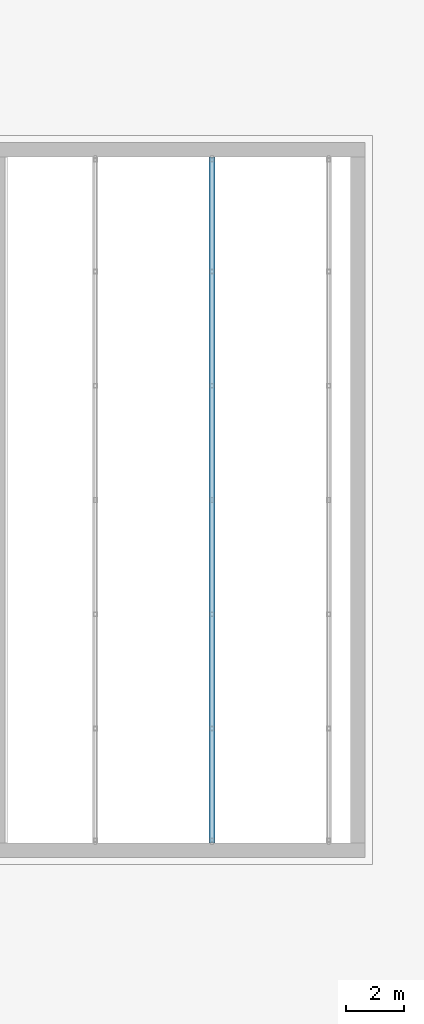
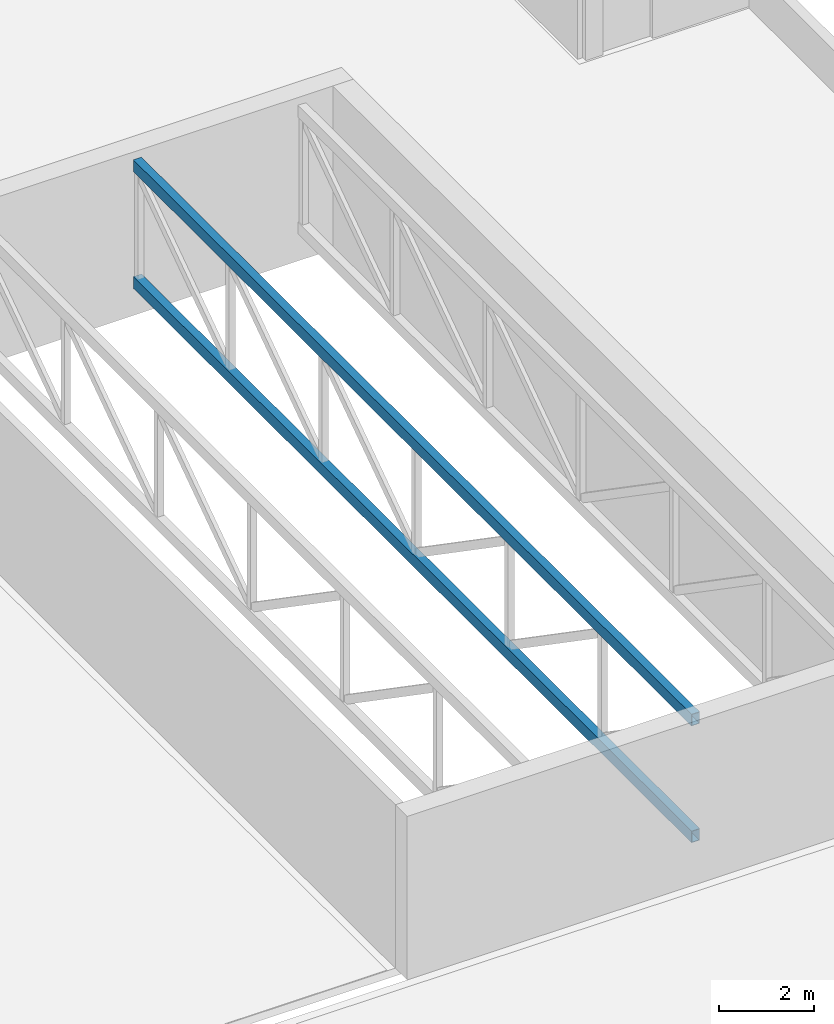
# One storey, part 10 of 33: 2 members.
"""IFC4 building model written with IfcOpenShell, lengths in metres."""

from ifc_helpers import new_model, si_unit, direction, frame, origin, origin_2d, place, context, subcontext, project, spatial, hollow_rectangle, extrude, material, material_profile, profile_set, type_object, element, save


model = new_model("IFC4")

# Units and contexts
model_context = context("Model", 3, precision=1e-05, world=origin(), true_north=direction((0.0, 1.0)))
body_context = subcontext(model_context, "Body", "Model", "MODEL_VIEW")
ifc_project = project(units=[si_unit("LENGTHUNIT", "METRE"), si_unit("AREAUNIT", "SQUARE_METRE"), si_unit("VOLUMEUNIT", "CUBIC_METRE"), si_unit("PLANEANGLEUNIT", "RADIAN"), si_unit("MASSUNIT", "GRAM", prefix="KILO")], contexts=[model_context])

# Site, building, storey
site_placement = place(None, origin())
site = spatial("IfcSite", under=ifc_project, at=site_placement, CompositionType="ELEMENT")
building_placement = place(site_placement, origin())
building = spatial("IfcBuilding", under=site, at=building_placement, Name="Nakaniwa Court", CompositionType="ELEMENT")
storey_placement = place(building_placement, frame((0.0, 0.0, 19.800048828125)))
storey = spatial("IfcBuildingStorey", under=building, at=storey_placement, Name="L04", CompositionType="ELEMENT", Elevation=19.800048828125)

# Members
ifc_material = material(Name="Steel AS/NZS 1163 Grade C350L0", Category="steel")
ifc_material_profile = material_profile(ifc_material, hollow_rectangle(XDim=0.199951171875, YDim=0.300048828125, WallThickness=0.010009765625, at=origin_2d()), Name="RHS 300x200x10")
ifc_profile_set = profile_set([ifc_material_profile], Name="Steel AS/NZS 1163 Grade C350L0")
member_type = type_object("IfcMemberType", Name="Roof truss chord RHS 300x200x10", PredefinedType="CHORD", material=ifc_profile_set)
for number, where, z_axis, x_axis, name in (
    (1, (201.0, 68.25, 3.849853515625), (0.0, 1.0, 0.0), (-1.0, 0.0, 0.0), "Roof truss S2 top chord"),
    (2, (201.0, 68.25, 0.849853515625), (0.0, 1.0, 0.0), (-1.0, 0.0, 0.0), "Roof truss S2 bottom chord"),
):
    element("IfcMember", number, at=place(storey_placement, frame(where, z_axis=z_axis, x_axis=x_axis)), inside=storey, type_object=member_type, Name=name, PredefinedType="CHORD", context=body_context, shape_type="SweptSolid", body=[
        extrude(hollow_rectangle(XDim=0.199951171875, YDim=0.300048828125, WallThickness=0.010009765625, at=origin_2d()), origin(), (0.0, 0.0, 1.0), 23.5),
    ])

save(model, "model.ifc")
